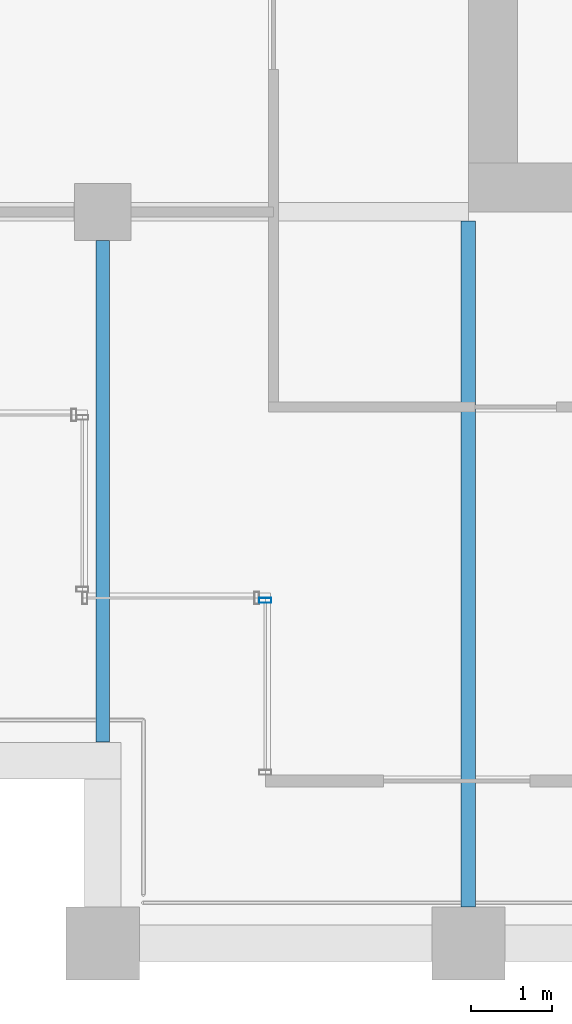
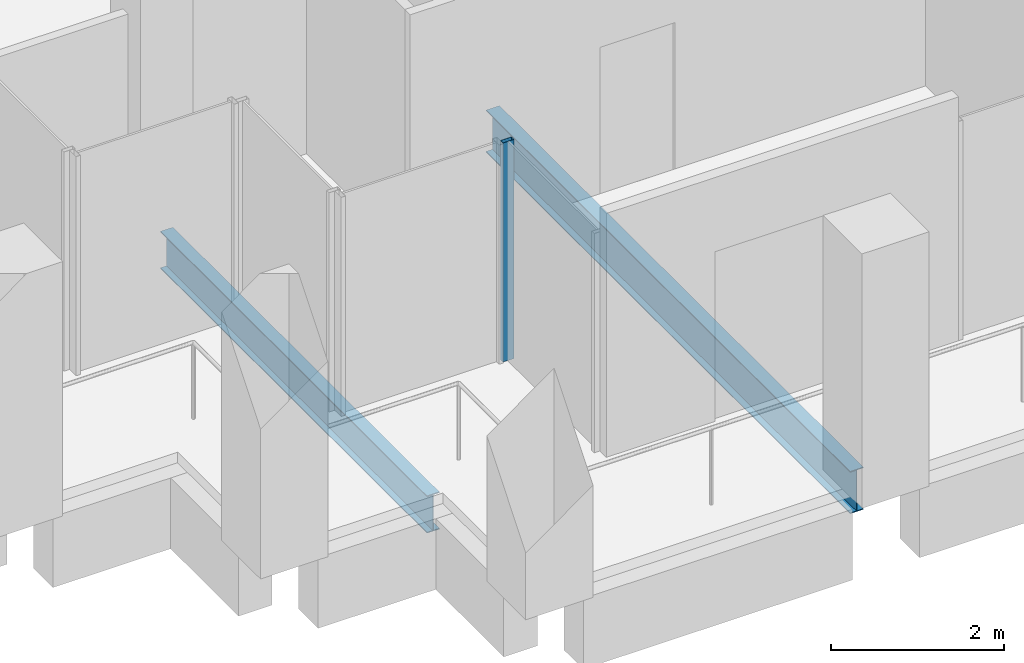
# One storey, part 29 of 40: 2 beams, 1 member, 1 element without a shape of its own.
"""IFC4 building model written with IfcOpenShell, lengths in metres."""

import ifcopenshell
import ifcopenshell.guid

model = None  # the IFC model being written
_history = None  # IfcOwnerHistory: only IFC2X3 demands one
_inside = {}  # id of a spatial element -> (the spatial element, [elements in it])
_under = {}  # id of a project, library or spatial element -> (it, [spatial elements below it])
_declared = {}  # id of a project -> (the project, [libraries it declares])
_typed = {}  # id of a type object -> (the type object, [elements of that type])
_made_of = {}  # id of a material, layer set ... -> (it, [elements and type objects made of it])


def new_model(schema):
    """Start an empty IFC model of exactly this schema.

    Asked for "IFC4X3", IfcOpenShell would pick the latest addendum, in which some entities
    have other attributes; the version numbers below select the first issue.
    IFC2X3 requires an IfcOwnerHistory on every rooted entity: one is made here for all.
    """
    global model, _history
    if schema == "IFC4X3":
        model = ifcopenshell.file(schema_version=(4, 3, 0, 0))
    else:
        model = ifcopenshell.file(schema=schema)
    _inside.clear()
    _under.clear()
    _declared.clear()
    _typed.clear()
    _made_of.clear()
    _history = None
    if model.schema == "IFC2X3":
        org = make("IfcOrganization", Name="unknown")
        user = make(
            "IfcPersonAndOrganization",
            ThePerson=make("IfcPerson", FamilyName="unknown"),
            TheOrganization=org,
        )
        app = make(
            "IfcApplication",
            ApplicationDeveloper=org,
            Version="unknown",
            ApplicationFullName="unknown",
            ApplicationIdentifier="unknown",
        )
        _history = make(
            "IfcOwnerHistory",
            OwningUser=user,
            OwningApplication=app,
            ChangeAction="ADDED",
            CreationDate=0,
        )
    return model


def make(cls, **values):
    """One entity of the class cls with the attributes given. An attribute that is None is left unset."""
    return model.create_entity(
        cls, **{name: value for name, value in values.items() if value is not None}
    )


def rooted(cls, **values):
    """An entity with a GlobalId (a new one), such as an element, a storey or a relation."""
    return make(cls, GlobalId=ifcopenshell.guid.new(), OwnerHistory=_history, **values)


def si_unit(unit_type, name, prefix=None):
    """IfcSIUnit, for example si_unit("LENGTHUNIT", "METRE", prefix="MILLI")."""
    return make("IfcSIUnit", UnitType=unit_type, Prefix=prefix, Name=name)


def assignment(units):
    """IfcUnitAssignment: the units of a project."""
    return None if units is None else make("IfcUnitAssignment", Units=units)


def point(xyz):
    """IfcCartesianPoint."""
    return None if xyz is None else make("IfcCartesianPoint", Coordinates=xyz)


def direction(xyz):
    """IfcDirection."""
    return None if xyz is None else make("IfcDirection", DirectionRatios=xyz)


def frame(location, z_axis=None, x_axis=None):
    """IfcAxis2Placement3D, a coordinate frame: its origin and axes. An axis left out is left unset."""
    return make(
        "IfcAxis2Placement3D",
        Location=point(location),
        Axis=direction(z_axis),
        RefDirection=direction(x_axis),
    )


def frame_2d(location, x_axis=None):
    """IfcAxis2Placement2D, a coordinate frame in the plane: its origin and x axis."""
    return make(
        "IfcAxis2Placement2D", Location=point(location), RefDirection=direction(x_axis)
    )


def origin():
    """The frame at (0, 0, 0) with its axes left unset."""
    return frame((0.0, 0.0, 0.0))


def origin_2d():
    """The frame at (0, 0) in the plane with its x axis left unset."""
    return frame_2d((0.0, 0.0))


def place(relative_to, where):
    """IfcLocalPlacement: puts the frame where relative to a parent placement (None: the world)."""
    return make(
        "IfcLocalPlacement", PlacementRelTo=relative_to, RelativePlacement=where
    )


def context(
    kind, dimensions, precision=None, world=None, true_north=None, identifier=None
):
    """IfcGeometricRepresentationContext, for example the 3D "Model" context."""
    return make(
        "IfcGeometricRepresentationContext",
        ContextIdentifier=identifier,
        ContextType=kind,
        CoordinateSpaceDimension=dimensions,
        Precision=precision,
        WorldCoordinateSystem=world,
        TrueNorth=true_north,
    )


def subcontext(parent, identifier, kind, view, scale=None):
    """IfcGeometricRepresentationSubContext, for example "Body" below "Model"."""
    return make(
        "IfcGeometricRepresentationSubContext",
        ContextIdentifier=identifier,
        ContextType=kind,
        ParentContext=parent,
        TargetScale=scale,
        TargetView=view,
    )


def project(units=None, contexts=None):
    """IfcProject with its units and contexts."""
    return rooted(
        "IfcProject",
        Name="project",
        RepresentationContexts=contexts,
        UnitsInContext=assignment(units),
    )


def spatial(cls, under=None, at=None, **own):
    """A site, building, storey or space (cls), placed at a placement, below another one or the project."""
    s = rooted(cls, ObjectPlacement=at, **own)
    if under is not None:
        _under.setdefault(under.id(), (under, []))[1].append(s)
    return s


def profile(cls, at=None, kind="AREA", **sizes):
    """A parametric profile (cls). Its sizes go by their IFC names, for example OverallWidth=200.0."""
    return make(cls, ProfileType=kind, Position=at, **sizes)


def hollow_rectangle(**sizes):
    """IfcRectangleHollowProfileDef."""
    return profile("IfcRectangleHollowProfileDef", **sizes)


def i_section(**sizes):
    """IfcIShapeProfileDef."""
    return profile("IfcIShapeProfileDef", **sizes)


def extrude(swept, where, along, depth):
    """IfcExtrudedAreaSolid: the profile swept, set in the frame where, extruded along a direction by depth."""
    return make(
        "IfcExtrudedAreaSolid",
        SweptArea=swept,
        Position=where,
        ExtrudedDirection=direction(along),
        Depth=depth,
    )


def shape(context_of_items, identifier, shape_type, items):
    """IfcShapeRepresentation: the items that make up one representation, for example the "Body"."""
    return make(
        "IfcShapeRepresentation",
        ContextOfItems=context_of_items,
        RepresentationIdentifier=identifier,
        RepresentationType=shape_type,
        Items=items,
    )


def material(Name=None, Category=None):
    """IfcMaterial."""
    return make("IfcMaterial", Name=Name, Category=Category)


def material_profile(
    of_material, cross_section, Name=None, Category=None, Priority=None
):
    """IfcMaterialProfile: a cross section and its material."""
    return make(
        "IfcMaterialProfile",
        Name=Name,
        Material=of_material,
        Profile=cross_section,
        Priority=Priority,
        Category=Category,
    )


def profile_set(profiles, Name=None, composite=None):
    """IfcMaterialProfileSet."""
    return make(
        "IfcMaterialProfileSet",
        Name=Name,
        MaterialProfiles=profiles,
        CompositeProfile=composite,
    )


def made_of(thing, what):
    """Note that an element or type object is made of a material, layer set ...; save() writes the relation."""
    if what is not None:
        _made_of.setdefault(what.id(), (what, []))[1].append(thing)
    return thing


def type_object(cls, material=None, **own):
    """A type object (cls), such as IfcWallType, which elements share."""
    return made_of(rooted(cls, **own), material)


def element(
    cls,
    number,
    at=None,
    inside=None,
    cuts=None,
    type_object=None,
    material=None,
    context=None,
    identifier="Body",
    shape_type=None,
    held_by="IfcProductDefinitionShape",
    body=None,
    shapes=None,
    **own,
):
    """One element of the class cls, such as IfcWall. Its Tag is "e" and its number.

    at: its placement. inside: the storey or other place that contains it. cuts: it is an
    opening in that element (IfcRelVoidsElement). A single representation is given by context,
    identifier, shape_type and body (its items); several are given by shapes. held_by: the class
    of the entity that holds the representations. save() writes the other relations.
    """
    e = rooted(cls, Tag="e%d" % number, ObjectPlacement=at, **own)
    if body is not None:
        shapes = [shape(context, identifier, shape_type, body)]
    if shapes is not None:
        e.Representation = make(held_by, Representations=shapes)
    if inside is not None:
        _inside.setdefault(inside.id(), (inside, []))[1].append(e)
    if cuts is not None:
        rooted(
            "IfcRelVoidsElement", RelatingBuildingElement=cuts, RelatedOpeningElement=e
        )
    if type_object is not None:
        _typed.setdefault(type_object.id(), (type_object, []))[1].append(e)
    return made_of(e, material)


def aggregate(whole, parts):
    """IfcRelAggregates: a whole, such as a stair, and the parts it consists of."""
    return rooted("IfcRelAggregates", RelatingObject=whole, RelatedObjects=parts)


def save(model, path):
    """Write the relations noted so far, then the file.

    IfcRelAggregates (storeys below a building ...), IfcRelContainedInSpatialStructure (elements
    in a storey), IfcRelDefinesByType, IfcRelAssociatesMaterial and IfcRelDeclares: one each for
    every whole, place, type object, material and project.
    """
    for whole, parts in _under.values():
        aggregate(whole, parts)
    for where, things in _inside.values():
        rooted(
            "IfcRelContainedInSpatialStructure",
            RelatedElements=things,
            RelatingStructure=where,
        )
    for kind, things in _typed.values():
        rooted("IfcRelDefinesByType", RelatedObjects=things, RelatingType=kind)
    for what, things in _made_of.values():
        rooted("IfcRelAssociatesMaterial", RelatedObjects=things, RelatingMaterial=what)
    for by, libraries in _declared.values():
        rooted("IfcRelDeclares", RelatingContext=by, RelatedDefinitions=libraries)
    model.write(path)


model = new_model("IFC4")

# Units and contexts
model_context = context("Model", 3, precision=1e-05, world=origin(), true_north=direction((0.0, 1.0)))
body_context = subcontext(model_context, "Body", "Model", "MODEL_VIEW")
ifc_project = project(units=[si_unit("LENGTHUNIT", "METRE"), si_unit("AREAUNIT", "SQUARE_METRE"), si_unit("VOLUMEUNIT", "CUBIC_METRE"), si_unit("PLANEANGLEUNIT", "RADIAN"), si_unit("MASSUNIT", "GRAM", prefix="KILO")], contexts=[model_context])

# Site, building, storey
site_placement = place(None, origin())
site = spatial("IfcSite", under=ifc_project, at=site_placement, CompositionType="ELEMENT")
building_placement = place(site_placement, origin())
building = spatial("IfcBuilding", under=site, at=building_placement, Name="Altepetl Exchange Towers", CompositionType="ELEMENT")
storey_placement = place(building_placement, frame((0.0, 0.0, 179.800048828125)))
storey = spatial("IfcBuildingStorey", under=building, at=storey_placement, Name="L45", CompositionType="ELEMENT", Elevation=179.800048828125)

# Beams
ifc_material_1 = material(Name="Steel S355", Category="steel")
ifc_material_profile_1 = material_profile(ifc_material_1, i_section(OverallWidth=0.166015625, OverallDepth=0.529052734375, WebThickness=0.009765625, FlangeThickness=0.013671875, at=origin_2d()), Name="W21X50")
ifc_profile_set_1 = profile_set([ifc_material_profile_1], Name="Steel S355")
beam_type_1 = type_object("IfcBeamType", Name="Floor beam W21X50", PredefinedType="BEAM", material=ifc_profile_set_1)
beam_1_placement = place(storey_placement, frame((99.0, 29.47509765625, -0.41455078125), z_axis=(0.0, 1.0, 0.0), x_axis=(-1.0, 0.0, 0.0)))
element("IfcBeam", 1, at=beam_1_placement, inside=storey, type_object=beam_type_1, Name="bm:B:L45:000", PredefinedType="BEAM", context=body_context, shape_type="SweptSolid", body=[
    extrude(i_section(OverallWidth=0.166015625, OverallDepth=0.529052734375, WebThickness=0.009765625, FlangeThickness=0.013671875, at=origin_2d()), origin(), (0.0, 0.0, 1.0), 6.1748046875),
])
ifc_material_profile_2 = material_profile(ifc_material_1, i_section(OverallWidth=0.177978515625, OverallDepth=0.59912109375, WebThickness=0.010009765625, FlangeThickness=0.0126953125, at=origin_2d()), Name="W24X55")
ifc_profile_set_2 = profile_set([ifc_material_profile_2], Name="Steel S355")
beam_type_2 = type_object("IfcBeamType", Name="Floor beam W24X55", PredefinedType="BEAM", material=ifc_profile_set_2)
beam_2_placement = place(storey_placement, frame((103.5, 27.449951171875, -0.449462890625), z_axis=(0.0, 1.0, 0.0), x_axis=(-1.0, 0.0, 0.0)))
element("IfcBeam", 2, at=beam_2_placement, inside=storey, type_object=beam_type_2, Name="bm:B:L45:001", PredefinedType="BEAM", context=body_context, shape_type="SweptSolid", body=[
    extrude(i_section(OverallWidth=0.177978515625, OverallDepth=0.59912109375, WebThickness=0.010009765625, FlangeThickness=0.0126953125, at=origin_2d()), origin(), (0.0, 0.0, 1.0), 8.43603515625),
])

# Curtain wall, member
ifc_material_2 = material(Name="Aluminium 6063-T6 glazing", Category="aluminium")
curtain_wall_type = type_object("IfcCurtainWallType", Name="Loggia glazing system", PredefinedType="NOTDEFINED", material=ifc_material_2)
curtain_wall_placement = place(storey_placement, origin())
curtain_wall = element("IfcCurtainWall", 3, at=curtain_wall_placement, inside=storey, type_object=curtain_wall_type, Name="CW1 run", PredefinedType="NOTDEFINED")
ifc_material_3 = material(Name="Aluminium 6063-T6", Category="aluminium")
ifc_material_profile_3 = material_profile(ifc_material_3, hollow_rectangle(XDim=0.06005859375, YDim=0.14990234375, WallThickness=0.0029296875, at=origin_2d()), Name="Mullion 60x150 aluminium")
ifc_profile_set_3 = profile_set([ifc_material_profile_3], Name="Aluminium 6063-T6")
member_type = type_object("IfcMemberType", Name="Mullion 60x150 aluminium", PredefinedType="MULLION", material=ifc_profile_set_3)
member_placement = place(storey_placement, frame((101.0, 31.219970703125, 0.0), z_axis=(0.0, 0.0, 1.0), x_axis=(0.0, -1.0, 0.0)))
member = element("IfcMember", 4, at=member_placement, type_object=member_type, Name="MU1 mullion", PredefinedType="MULLION", context=body_context, shape_type="SweptSolid", body=[
    extrude(hollow_rectangle(XDim=0.06005859375, YDim=0.14990234375, WallThickness=0.0029296875, at=origin_2d()), origin(), (0.0, 0.0, 1.0), 3.099853515625),
])
aggregate(curtain_wall, [member])

save(model, "model.ifc")
